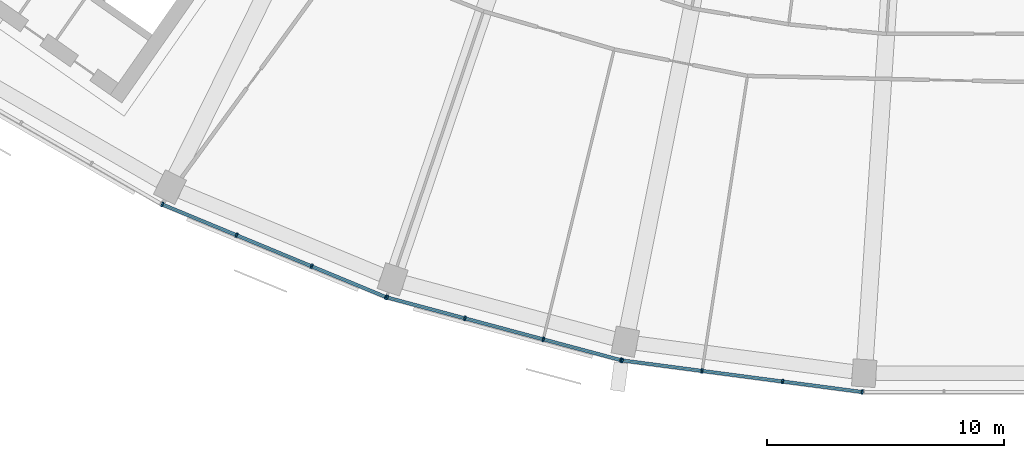
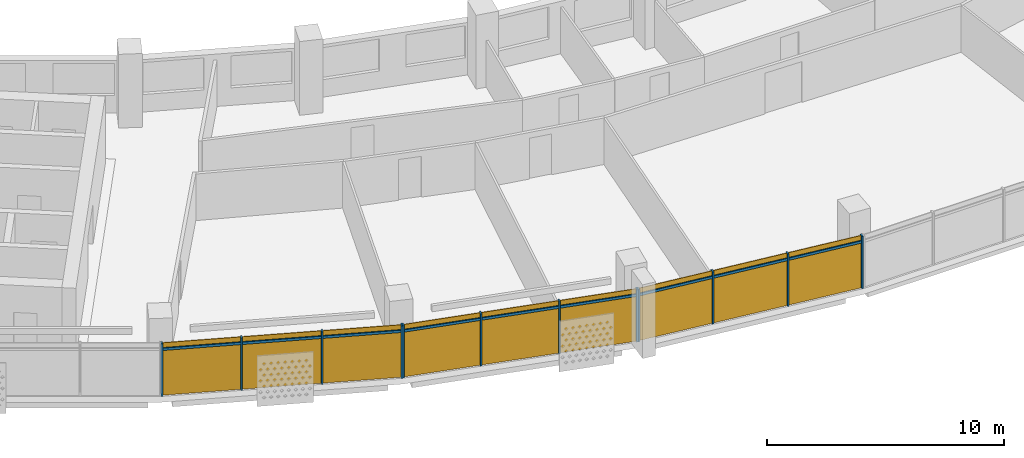
# One storey, part 19 of 28: 21 members, 3 curtain walls.
"""IFC4 building model written with IfcOpenShell, lengths in metres."""

from ifc_helpers import new_model, si_unit, direction, frame, origin, origin_2d, place, context, subcontext, project, spatial, rectangle, extrude, material, material_profile, profile_set, type_object, element, aggregate, save


model = new_model("IFC4")

# Units and contexts
model_context = context("Model", 3, precision=1e-05, world=origin(), true_north=direction((0.0, 1.0)))
body_context = subcontext(model_context, "Body", "Model", "MODEL_VIEW")
ifc_project = project(units=[si_unit("LENGTHUNIT", "METRE"), si_unit("AREAUNIT", "SQUARE_METRE"), si_unit("VOLUMEUNIT", "CUBIC_METRE"), si_unit("PLANEANGLEUNIT", "RADIAN"), si_unit("MASSUNIT", "GRAM", prefix="KILO")], contexts=[model_context])

# Member
ifc_material = material(Name="Aluminium 6063-T6 anodised", Category="aluminium")
ifc_material_profile_1 = material_profile(ifc_material, rectangle(XDim=0.199951171875, YDim=0.070068359375, at=origin_2d()))
ifc_profile_set_1 = profile_set([ifc_material_profile_1], Name="Aluminium 6063-T6 anodised")
member_type_1 = type_object("IfcMemberType", Name="Mullion 70 x 200 aluminium", PredefinedType="MULLION", material=ifc_profile_set_1)
site_placement = place(None, origin())
building_placement = place(site_placement, origin())
storey_placement = place(building_placement, frame((0.0, 0.0, 215.10009765625)))
member_1_placement = place(storey_placement, frame((-34.71533203125, -70.4599609375, 0.0), z_axis=(0.0, 0.0, 1.0), x_axis=(0.382683432365, 0.923879532511, 0.0)))
member_1 = element("IfcMember", 1, at=member_1_placement, type_object=member_type_1, Name="e-cw1-L51-out05/M00", PredefinedType="MULLION", context=body_context, shape_type="SweptSolid", body=[
    extrude(rectangle(XDim=0.199951171875, YDim=0.070068359375, at=origin_2d()), origin(), (0.0, 0.0, 1.0), 2.699951171875),
])

member_2_placement = place(storey_placement, frame((-31.57958984375, -71.759033203125, 0.0), z_axis=(0.0, 0.0, 1.0), x_axis=(0.382683432365, 0.923879532511, 0.0)))
member_2 = element("IfcMember", 2, at=member_2_placement, type_object=member_type_1, Name="e-cw1-L51-out05/M01", PredefinedType="MULLION", context=body_context, shape_type="SweptSolid", body=[
    extrude(rectangle(XDim=0.199951171875, YDim=0.070068359375, at=origin_2d()), origin(), (0.0, 0.0, 1.0), 2.699951171875),
])

member_3_placement = place(storey_placement, frame((-28.4111328125, -73.0712890625, 0.0), z_axis=(0.0, 0.0, 1.0), x_axis=(0.382683432365, 0.923879532511, 0.0)))
member_3 = element("IfcMember", 3, at=member_3_placement, type_object=member_type_1, Name="e-cw1-L51-out05/M02", PredefinedType="MULLION", context=body_context, shape_type="SweptSolid", body=[
    extrude(rectangle(XDim=0.199951171875, YDim=0.070068359375, at=origin_2d()), origin(), (0.0, 0.0, 1.0), 2.699951171875),
])

member_4_placement = place(storey_placement, frame((-25.275390625, -74.370361328125, 0.0), z_axis=(0.0, 0.0, 1.0), x_axis=(0.382683432365, 0.923879532511, 0.0)))
member_4 = element("IfcMember", 4, at=member_4_placement, type_object=member_type_1, Name="e-cw1-L51-out05/M03", PredefinedType="MULLION", context=body_context, shape_type="SweptSolid", body=[
    extrude(rectangle(XDim=0.199951171875, YDim=0.070068359375, at=origin_2d()), origin(), (0.0, 0.0, 1.0), 2.699951171875),
])

member_5_placement = place(storey_placement, frame((-25.221435546875, -74.388427734375, 0.0), z_axis=(0.0, 0.0, 1.0), x_axis=(0.258819045103, 0.965925826289, 0.0)))
member_5 = element("IfcMember", 5, at=member_5_placement, type_object=member_type_1, Name="e-cw1-L51-out06/M00", PredefinedType="MULLION", context=body_context, shape_type="SweptSolid", body=[
    extrude(rectangle(XDim=0.199951171875, YDim=0.070068359375, at=origin_2d()), origin(), (0.0, 0.0, 1.0), 2.699951171875),
])

member_6_placement = place(storey_placement, frame((-21.94287109375, -75.26708984375, 0.0), z_axis=(0.0, 0.0, 1.0), x_axis=(0.258819045103, 0.965925826289, 0.0)))
member_6 = element("IfcMember", 6, at=member_6_placement, type_object=member_type_1, Name="e-cw1-L51-out06/M01", PredefinedType="MULLION", context=body_context, shape_type="SweptSolid", body=[
    extrude(rectangle(XDim=0.199951171875, YDim=0.070068359375, at=origin_2d()), origin(), (0.0, 0.0, 1.0), 2.699951171875),
])

member_7_placement = place(storey_placement, frame((-18.63037109375, -76.154541015625, 0.0), z_axis=(0.0, 0.0, 1.0), x_axis=(0.258819045103, 0.965925826289, 0.0)))
member_7 = element("IfcMember", 7, at=member_7_placement, type_object=member_type_1, Name="e-cw1-L51-out06/M02", PredefinedType="MULLION", context=body_context, shape_type="SweptSolid", body=[
    extrude(rectangle(XDim=0.199951171875, YDim=0.070068359375, at=origin_2d()), origin(), (0.0, 0.0, 1.0), 2.699951171875),
])

member_8_placement = place(storey_placement, frame((-15.351806640625, -77.033203125, 0.0), z_axis=(0.0, 0.0, 1.0), x_axis=(0.258819045103, 0.965925826289, 0.0)))
member_8 = element("IfcMember", 8, at=member_8_placement, type_object=member_type_1, Name="e-cw1-L51-out06/M03", PredefinedType="MULLION", context=body_context, shape_type="SweptSolid", body=[
    extrude(rectangle(XDim=0.199951171875, YDim=0.070068359375, at=origin_2d()), origin(), (0.0, 0.0, 1.0), 2.699951171875),
])

member_9_placement = place(storey_placement, frame((-15.296142578125, -77.044189453125, 0.0), z_axis=(0.0, 0.0, 1.0), x_axis=(0.13052619222, 0.991444861374, 0.0)))
member_9 = element("IfcMember", 9, at=member_9_placement, type_object=member_type_1, Name="e-cw1-L51-out07/M00", PredefinedType="MULLION", context=body_context, shape_type="SweptSolid", body=[
    extrude(rectangle(XDim=0.199951171875, YDim=0.070068359375, at=origin_2d()), origin(), (0.0, 0.0, 1.0), 2.699951171875),
])

member_10_placement = place(storey_placement, frame((-11.930908203125, -77.4873046875, 0.0), z_axis=(0.0, 0.0, 1.0), x_axis=(0.13052619222, 0.991444861374, 0.0)))
member_10 = element("IfcMember", 10, at=member_10_placement, type_object=member_type_1, Name="e-cw1-L51-out07/M01", PredefinedType="MULLION", context=body_context, shape_type="SweptSolid", body=[
    extrude(rectangle(XDim=0.199951171875, YDim=0.070068359375, at=origin_2d()), origin(), (0.0, 0.0, 1.0), 2.699951171875),
])

member_11_placement = place(storey_placement, frame((-8.53076171875, -77.934814453125, 0.0), z_axis=(0.0, 0.0, 1.0), x_axis=(0.13052619222, 0.991444861374, 0.0)))
member_11 = element("IfcMember", 11, at=member_11_placement, type_object=member_type_1, Name="e-cw1-L51-out07/M02", PredefinedType="MULLION", context=body_context, shape_type="SweptSolid", body=[
    extrude(rectangle(XDim=0.199951171875, YDim=0.070068359375, at=origin_2d()), origin(), (0.0, 0.0, 1.0), 2.699951171875),
])

member_12_placement = place(storey_placement, frame((-5.16552734375, -78.3779296875, 0.0), z_axis=(0.0, 0.0, 1.0), x_axis=(0.13052619222, 0.991444861374, 0.0)))
member_12 = element("IfcMember", 12, at=member_12_placement, type_object=member_type_1, Name="e-cw1-L51-out07/M03", PredefinedType="MULLION", context=body_context, shape_type="SweptSolid", body=[
    extrude(rectangle(XDim=0.199951171875, YDim=0.070068359375, at=origin_2d()), origin(), (0.0, 0.0, 1.0), 2.699951171875),
])

ifc_material_profile_2 = material_profile(ifc_material, rectangle(XDim=0.139892578125, YDim=0.1201171875, at=origin_2d()))
ifc_profile_set_2 = profile_set([ifc_material_profile_2], Name="Aluminium 6063-T6 anodised")
member_type_2 = type_object("IfcMemberType", Name="Transom 120 x 140 aluminium", PredefinedType="USERDEFINED", material=ifc_profile_set_2)
member_13_placement = place(storey_placement, frame((-34.68310546875, -70.473388671875, 2.39990234375), z_axis=(0.923874511193, -0.382695554676, 0.0), x_axis=(0.382695554676, 0.923874511193, 0.0)))
member_13 = element("IfcMember", 13, at=member_13_placement, type_object=member_type_2, Name="e-cw1-L51-out05/T00", ObjectType="TRANSOM", PredefinedType="USERDEFINED", context=body_context, shape_type="SweptSolid", body=[
    extrude(rectangle(XDim=0.139892578125, YDim=0.1201171875, at=origin_2d()), origin(), (0.0, 0.0, 1.0), 3.324462890625),
])

member_14_placement = place(storey_placement, frame((-31.547119140625, -71.7724609375, 2.39990234375), z_axis=(0.923891938088, -0.38265348128, 0.0), x_axis=(0.38265348128, 0.923891938088, 0.0)))
member_14 = element("IfcMember", 14, at=member_14_placement, type_object=member_type_2, Name="e-cw1-L51-out05/T01", ObjectType="TRANSOM", PredefinedType="USERDEFINED", context=body_context, shape_type="SweptSolid", body=[
    extrude(rectangle(XDim=0.139892578125, YDim=0.1201171875, at=origin_2d()), origin(), (0.0, 0.0, 1.0), 3.359130859375),
])

member_15_placement = place(storey_placement, frame((-28.37890625, -73.084716796875, 2.39990234375), z_axis=(0.923874511193, -0.382695554676, 0.0), x_axis=(0.382695554676, 0.923874511193, 0.0)))
member_15 = element("IfcMember", 15, at=member_15_placement, type_object=member_type_2, Name="e-cw1-L51-out05/T02", ObjectType="TRANSOM", PredefinedType="USERDEFINED", context=body_context, shape_type="SweptSolid", body=[
    extrude(rectangle(XDim=0.139892578125, YDim=0.1201171875, at=origin_2d()), origin(), (0.0, 0.0, 1.0), 3.324462890625),
])

member_16_placement = place(storey_placement, frame((-25.187744140625, -74.3974609375, 2.39990234375), z_axis=(0.965908708139, -0.25888292246, 0.0), x_axis=(0.25888292246, 0.965908708139, 0.0)))
member_16 = element("IfcMember", 16, at=member_16_placement, type_object=member_type_2, Name="e-cw1-L51-out06/T00", ObjectType="TRANSOM", PredefinedType="USERDEFINED", context=body_context, shape_type="SweptSolid", body=[
    extrude(rectangle(XDim=0.139892578125, YDim=0.1201171875, at=origin_2d()), origin(), (0.0, 0.0, 1.0), 3.32421875),
])

member_17_placement = place(storey_placement, frame((-21.9091796875, -75.276123046875, 2.39990234375), z_axis=(0.965931507774, -0.258797840582, 0.0), x_axis=(0.258797840582, 0.965931507774, 0.0)))
member_17 = element("IfcMember", 17, at=member_17_placement, type_object=member_type_2, Name="e-cw1-L51-out06/T01", ObjectType="TRANSOM", PredefinedType="USERDEFINED", context=body_context, shape_type="SweptSolid", body=[
    extrude(rectangle(XDim=0.139892578125, YDim=0.1201171875, at=origin_2d()), origin(), (0.0, 0.0, 1.0), 3.359375),
])

member_18_placement = place(storey_placement, frame((-18.5966796875, -76.16357421875, 2.39990234375), z_axis=(0.965913629723, -0.258864559019, 0.0), x_axis=(0.258864559019, 0.965913629723, 0.0)))
member_18 = element("IfcMember", 18, at=member_18_placement, type_object=member_type_2, Name="e-cw1-L51-out06/T02", ObjectType="TRANSOM", PredefinedType="USERDEFINED", context=body_context, shape_type="SweptSolid", body=[
    extrude(rectangle(XDim=0.139892578125, YDim=0.1201171875, at=origin_2d()), origin(), (0.0, 0.0, 1.0), 3.324462890625),
])

member_19_placement = place(storey_placement, frame((-15.261474609375, -77.048828125, 2.39990234375), z_axis=(0.991447795146, -0.130503906072, 0.0), x_axis=(0.130503906072, 0.991447795146, 0.0)))
member_19 = element("IfcMember", 19, at=member_19_placement, type_object=member_type_2, Name="e-cw1-L51-out07/T00", ObjectType="TRANSOM", PredefinedType="USERDEFINED", context=body_context, shape_type="SweptSolid", body=[
    extrude(rectangle(XDim=0.139892578125, YDim=0.1201171875, at=origin_2d()), origin(), (0.0, 0.0, 1.0), 3.32421875),
])

member_20_placement = place(storey_placement, frame((-11.896240234375, -77.49169921875, 2.39990234375), z_axis=(0.991444893088, -0.130525951326, 0.0), x_axis=(0.130525951326, 0.991444893088, 0.0)))
member_20 = element("IfcMember", 20, at=member_20_placement, type_object=member_type_2, Name="e-cw1-L51-out07/T01", ObjectType="TRANSOM", PredefinedType="USERDEFINED", context=body_context, shape_type="SweptSolid", body=[
    extrude(rectangle(XDim=0.139892578125, YDim=0.1201171875, at=origin_2d()), origin(), (0.0, 0.0, 1.0), 3.359375),
])

member_21_placement = place(storey_placement, frame((-8.49609375, -77.939453125, 2.39990234375), z_axis=(0.991447795146, -0.130503906072, 0.0), x_axis=(0.130503906072, 0.991447795146, 0.0)))
member_21 = element("IfcMember", 21, at=member_21_placement, type_object=member_type_2, Name="e-cw1-L51-out07/T02", ObjectType="TRANSOM", PredefinedType="USERDEFINED", context=body_context, shape_type="SweptSolid", body=[
    extrude(rectangle(XDim=0.139892578125, YDim=0.1201171875, at=origin_2d()), origin(), (0.0, 0.0, 1.0), 3.32421875),
])

# Site, building, storey
site = spatial("IfcSite", under=ifc_project, at=site_placement, CompositionType="ELEMENT")
building = spatial("IfcBuilding", under=site, at=building_placement, Name="Qamariyya Broadcast Tower", CompositionType="ELEMENT")
storey = spatial("IfcBuildingStorey", under=building, at=storey_placement, Name="L51", CompositionType="ELEMENT", Elevation=215.10009765625)

# Curtain wall
curtain_wall_type = type_object("IfcCurtainWallType", Name="Unitised curtain wall, anodised aluminium", PredefinedType="NOTDEFINED", material=ifc_material)
curtain_wall_1_placement = place(storey_placement, origin())
curtain_wall_1 = element("IfcCurtainWall", 22, at=curtain_wall_1_placement, inside=storey, type_object=curtain_wall_type, Name="e-cw1-L51-out05", PredefinedType="NOTDEFINED", context=body_context, shape_type="SweptSolid", body=[
    extrude(rectangle(XDim=3.32421875, YDim=0.031982421875, at=origin_2d()), frame((-33.1474609375, -71.109375, 0.0), x_axis=(0.923880895135, -0.382680142683, 0.0)), (0.0, 0.0, 1.0), 2.340087890625),
    extrude(rectangle(XDim=3.32421875, YDim=0.031982421875, at=origin_2d()), frame((-33.1474609375, -71.109375, 2.4599609375), x_axis=(0.923880895135, -0.382680142683, 0.0)), (0.0, 0.0, 1.0), 0.239990234375),
    extrude(rectangle(XDim=3.359375, YDim=0.031982421875, at=origin_2d()), frame((-29.995361328125, -72.4150390625, 0.0), x_axis=(0.923880895135, -0.382680142683, 0.0)), (0.0, 0.0, 1.0), 2.340087890625),
    extrude(rectangle(XDim=3.359375, YDim=0.031982421875, at=origin_2d()), frame((-29.995361328125, -72.4150390625, 2.4599609375), x_axis=(0.923880895135, -0.382680142683, 0.0)), (0.0, 0.0, 1.0), 0.239990234375),
    extrude(rectangle(XDim=3.32421875, YDim=0.031982421875, at=origin_2d()), frame((-26.84326171875, -73.720703125, 0.0), x_axis=(0.923880895135, -0.382680142683, 0.0)), (0.0, 0.0, 1.0), 2.340087890625),
    extrude(rectangle(XDim=3.32421875, YDim=0.031982421875, at=origin_2d()), frame((-26.84326171875, -73.720703125, 2.4599609375), x_axis=(0.923880895135, -0.382680142683, 0.0)), (0.0, 0.0, 1.0), 0.239990234375),
])

aggregate(curtain_wall_1, [member_1, member_2, member_3, member_4, member_13, member_14, member_15])

curtain_wall_2_placement = place(storey_placement, origin())
curtain_wall_2 = element("IfcCurtainWall", 23, at=curtain_wall_2_placement, inside=storey, type_object=curtain_wall_type, Name="e-cw1-L51-out06", PredefinedType="NOTDEFINED", context=body_context, shape_type="SweptSolid", body=[
    extrude(rectangle(XDim=3.324462890625, YDim=0.031982421875, at=origin_2d()), frame((-23.582275390625, -74.82763671875, 0.0), x_axis=(0.965923476514, -0.258827814424, 0.0)), (0.0, 0.0, 1.0), 2.340087890625),
    extrude(rectangle(XDim=3.324462890625, YDim=0.031982421875, at=origin_2d()), frame((-23.582275390625, -74.82763671875, 2.4599609375), x_axis=(0.965923476514, -0.258827814424, 0.0)), (0.0, 0.0, 1.0), 0.239990234375),
    extrude(rectangle(XDim=3.359375, YDim=0.031982421875, at=origin_2d()), frame((-20.28662109375, -75.7109375, 0.0), x_axis=(0.965923476514, -0.258827814424, 0.0)), (0.0, 0.0, 1.0), 2.340087890625),
    extrude(rectangle(XDim=3.359375, YDim=0.031982421875, at=origin_2d()), frame((-20.28662109375, -75.7109375, 2.4599609375), x_axis=(0.965923476514, -0.258827814424, 0.0)), (0.0, 0.0, 1.0), 0.239990234375),
    extrude(rectangle(XDim=3.324462890625, YDim=0.031982421875, at=origin_2d()), frame((-16.990966796875, -76.593994140625, 0.0), x_axis=(0.965923476514, -0.258827814424, 0.0)), (0.0, 0.0, 1.0), 2.340087890625),
    extrude(rectangle(XDim=3.324462890625, YDim=0.031982421875, at=origin_2d()), frame((-16.990966796875, -76.593994140625, 2.4599609375), x_axis=(0.965923476514, -0.258827814424, 0.0)), (0.0, 0.0, 1.0), 0.239990234375),
])

aggregate(curtain_wall_2, [member_5, member_6, member_7, member_8, member_16, member_17, member_18])

curtain_wall_3_placement = place(storey_placement, origin())
curtain_wall_3 = element("IfcCurtainWall", 24, at=curtain_wall_3_placement, inside=storey, type_object=curtain_wall_type, Name="e-cw1-L51-out07", PredefinedType="NOTDEFINED", context=body_context, shape_type="SweptSolid", body=[
    extrude(rectangle(XDim=3.32421875, YDim=0.031982421875, at=origin_2d()), frame((-13.613525390625, -77.265625, 0.0), x_axis=(0.991442741341, -0.130542294457, 0.0)), (0.0, 0.0, 1.0), 2.340087890625),
    extrude(rectangle(XDim=3.32421875, YDim=0.031982421875, at=origin_2d()), frame((-13.613525390625, -77.265625, 2.4599609375), x_axis=(0.991442741341, -0.130542294457, 0.0)), (0.0, 0.0, 1.0), 0.239990234375),
    extrude(rectangle(XDim=3.359375, YDim=0.031982421875, at=origin_2d()), frame((-10.23095703125, -77.7109375, 0.0), x_axis=(0.991442741341, -0.130542294457, 0.0)), (0.0, 0.0, 1.0), 2.340087890625),
    extrude(rectangle(XDim=3.359375, YDim=0.031982421875, at=origin_2d()), frame((-10.23095703125, -77.7109375, 2.4599609375), x_axis=(0.991442741341, -0.130542294457, 0.0)), (0.0, 0.0, 1.0), 0.239990234375),
    extrude(rectangle(XDim=3.32421875, YDim=0.031982421875, at=origin_2d()), frame((-6.84814453125, -78.156494140625, 0.0), x_axis=(0.991442741341, -0.130542294457, 0.0)), (0.0, 0.0, 1.0), 2.340087890625),
    extrude(rectangle(XDim=3.32421875, YDim=0.031982421875, at=origin_2d()), frame((-6.84814453125, -78.156494140625, 2.4599609375), x_axis=(0.991442741341, -0.130542294457, 0.0)), (0.0, 0.0, 1.0), 0.239990234375),
])

aggregate(curtain_wall_3, [member_9, member_10, member_11, member_12, member_19, member_20, member_21])

save(model, "model.ifc")
